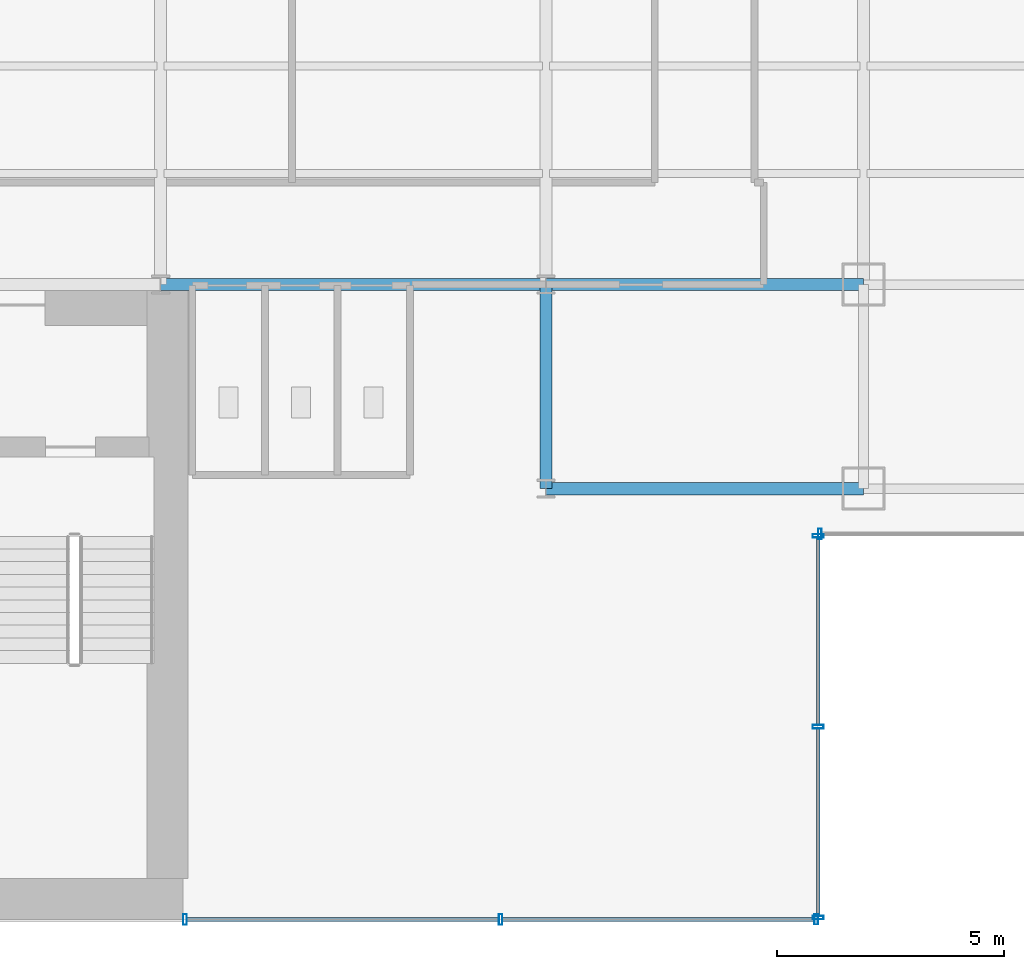
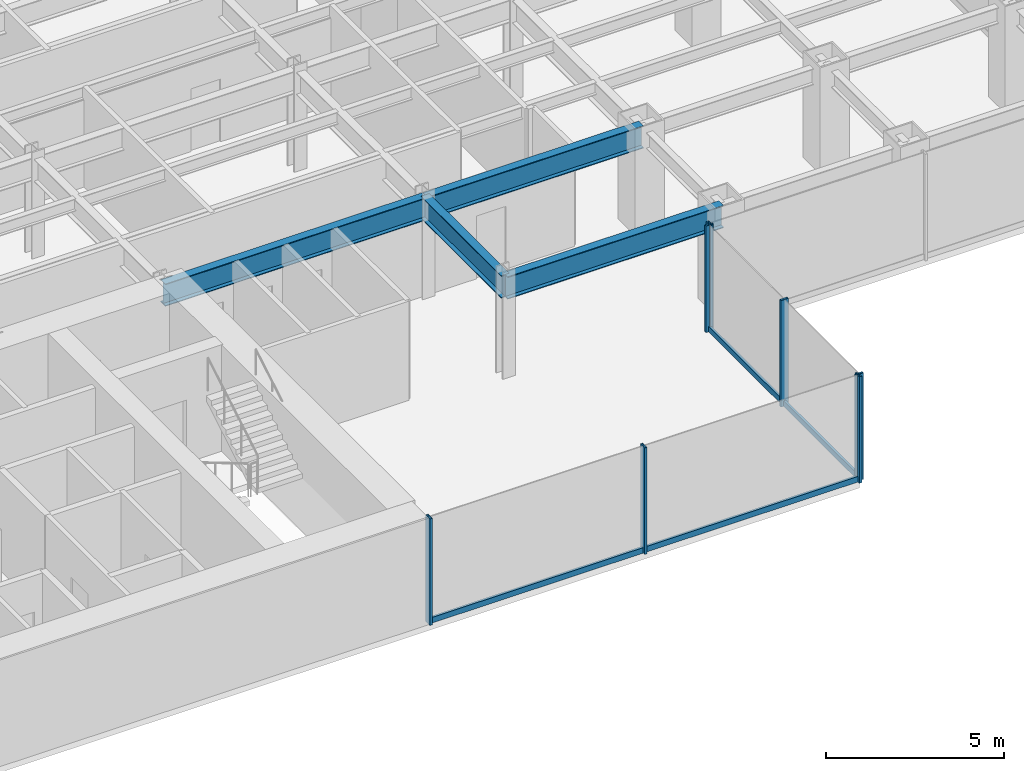
# One storey, part 6 of 23: 11 members, 4 beams, 3 elements without a shape of their own.
"""IFC4 building model written with IfcOpenShell, lengths in metres."""

from ifc_helpers import new_model, si_unit, derived_unit, direction, frame, origin, origin_2d, place, context, subcontext, project, spatial, hollow_rectangle, i_section, extrude, source, transform, mapped, material, material_profile, profile_set, type_object, element, aggregate, save


model = new_model("IFC4")

# Units and contexts
model_context = context("Model", 3, precision=1e-05, world=origin(), true_north=direction((0.0, 1.0)))
body_context = subcontext(model_context, "Body", "Model", "MODEL_VIEW")
ifc_project = project(units=[si_unit("LENGTHUNIT", "METRE"), si_unit("AREAUNIT", "SQUARE_METRE"), si_unit("VOLUMEUNIT", "CUBIC_METRE"), si_unit("PLANEANGLEUNIT", "RADIAN"), si_unit("MASSUNIT", "GRAM", prefix="KILO"), derived_unit("THERMALTRANSMITTANCEUNIT", [(si_unit("POWERUNIT", "WATT"), 1), (si_unit("LENGTHUNIT", "METRE"), -2), (si_unit("THERMODYNAMICTEMPERATUREUNIT", "KELVIN"), -1)])], contexts=[model_context])

# Site, building, storey
site_placement = place(None, origin())
site = spatial("IfcSite", under=ifc_project, at=site_placement, CompositionType="ELEMENT")
building_placement = place(site_placement, origin())
building = spatial("IfcBuilding", under=site, at=building_placement, Name="Skarnbrae Concourse Arena and Tower", CompositionType="ELEMENT")
storey_placement = place(building_placement, frame((0.0, 0.0, 50.75)))
storey = spatial("IfcBuildingStorey", under=building, at=storey_placement, Name="L11", CompositionType="ELEMENT", Elevation=50.75)

# Beams
ifc_material_1 = material(Name="Steel CSA G40.21 350W", Category="steel")
ifc_material_profile_1 = material_profile(ifc_material_1, i_section(OverallWidth=0.26806640625, OverallDepth=0.77001953125, WebThickness=0.015625, FlangeThickness=0.025390625, at=origin_2d()), Name="W760X196")
ifc_profile_set_1 = profile_set([ifc_material_profile_1], Name="Steel CSA G40.21 350W")
beam_type = type_object("IfcBeamType", Name="BM-GIRD-W760X196", PredefinedType="BEAM", material=ifc_profile_set_1)
shared_shape_1 = source(origin(), body_context, "Body", "SweptSolid", [
    extrude(i_section(OverallWidth=0.26806640625, OverallDepth=0.77001953125, WebThickness=0.015625, FlangeThickness=0.025390625, at=origin_2d()), origin(), (0.0, 0.0, 1.0), 7.0),
])
for number, where, z_axis, x_axis, name in (
    (1, (42.0, 9.5, 3.014892578125), (1.0, 0.0, 0.0), (0.0, 1.0, 0.0), "L11 Primary E-W girder Y9.5-2"),
    (2, (42.0, 14.0, 3.014892578125), (1.0, 0.0, 0.0), (0.0, 1.0, 0.0), "L11 Primary E-W girder Y14.0-7"),
):
    element("IfcBeam", number, at=place(storey_placement, frame(where, z_axis=z_axis, x_axis=x_axis)), inside=storey, type_object=beam_type, Name=name, PredefinedType="BEAM", context=body_context, shape_type="MappedRepresentation", body=[
        mapped(shared_shape_1, transform((0.0, 0.0, 0.0))),
    ])
shared_shape_2 = source(origin(), body_context, "Body", "SweptSolid", [
    extrude(i_section(OverallWidth=0.26806640625, OverallDepth=0.77001953125, WebThickness=0.015625, FlangeThickness=0.025390625, at=origin_2d()), origin(), (0.0, 0.0, 1.0), 8.5),
])
beam_1_placement = place(storey_placement, frame((33.5, 14.0, 3.014892578125), z_axis=(1.0, 0.0, 0.0), x_axis=(0.0, 1.0, 0.0)))
element("IfcBeam", 3, at=beam_1_placement, inside=storey, type_object=beam_type, Name="L11 Primary E-W girder Y14.0-6", PredefinedType="BEAM", context=body_context, shape_type="MappedRepresentation", body=[
    mapped(shared_shape_2, transform((0.0, 0.0, 0.0))),
])
shared_shape_3 = source(origin(), body_context, "Body", "SweptSolid", [
    extrude(i_section(OverallWidth=0.26806640625, OverallDepth=0.77001953125, WebThickness=0.015625, FlangeThickness=0.025390625, at=origin_2d()), origin(), (0.0, 0.0, 1.0), 4.5),
])
beam_2_placement = place(storey_placement, frame((42.0, 9.5, 3.014892578125), z_axis=(0.0, 1.0, 0.0), x_axis=(-1.0, 0.0, 0.0)))
element("IfcBeam", 4, at=beam_2_placement, inside=storey, type_object=beam_type, Name="L11 Primary N-S girder X42.0-1", PredefinedType="BEAM", context=body_context, shape_type="MappedRepresentation", body=[
    mapped(shared_shape_3, transform((0.0, 0.0, 0.0))),
])

# Curtain wall, members
ifc_material_2 = material(Name="Bronze anodised aluminium 6063-T6", Category="aluminium")
curtain_wall_type = type_object("IfcCurtainWallType", Name="CW-SYS-02-LOWZONE", PredefinedType="USERDEFINED", material=ifc_material_2)
curtain_wall_1_placement = place(storey_placement, origin())
curtain_wall_1 = element("IfcCurtainWall", 5, at=curtain_wall_1_placement, inside=storey, type_object=curtain_wall_type, Name="L11 Unitised curtain wall CW-L11-SE-SPINE", ObjectType="UNITISED CURTAIN WALL", PredefinedType="USERDEFINED")
ifc_material_profile_2 = material_profile(ifc_material_2, hollow_rectangle(XDim=0.080078125, YDim=0.239990234375, WallThickness=0.0048828125, at=origin_2d()), Name="ALU-MULL-80X240")
ifc_profile_set_2 = profile_set([ifc_material_profile_2], Name="Bronze anodised aluminium 6063-T6")
member_type_1 = type_object("IfcMemberType", Name="CWM-CW-02", PredefinedType="MULLION", material=ifc_profile_set_2)
shared_shape_4 = source(origin(), body_context, "Body", "SweptSolid", [
    extrude(hollow_rectangle(XDim=0.080078125, YDim=0.239990234375, WallThickness=0.0048828125, at=origin_2d()), origin(), (0.0, 0.0, 1.0), 3.64990234375),
])
member_1_placement = place(storey_placement, frame((34.0400390625, 0.0, 0.0), z_axis=(0.0, 0.0, 1.0), x_axis=(1.0, 0.0, 0.0)))
member_1 = element("IfcMember", 6, at=member_1_placement, type_object=member_type_1, Name="CW-L11-SE-SPINE Mullion 1", PredefinedType="MULLION", context=body_context, shape_type="MappedRepresentation", body=[
    mapped(shared_shape_4, transform((0.0, 0.0, 0.0))),
])
member_2_placement = place(storey_placement, frame((41.0, 0.0, 0.0), z_axis=(0.0, 0.0, 1.0), x_axis=(1.0, 0.0, 0.0)))
member_2 = element("IfcMember", 7, at=member_2_placement, type_object=member_type_1, Name="CW-L11-SE-SPINE Mullion 2", PredefinedType="MULLION", context=body_context, shape_type="MappedRepresentation", body=[
    mapped(shared_shape_4, transform((0.0, 0.0, 0.0))),
])
member_3_placement = place(storey_placement, frame((47.9599609375, 0.0, 0.0), z_axis=(0.0, 0.0, 1.0), x_axis=(1.0, 0.0, 0.0)))
member_3 = element("IfcMember", 8, at=member_3_placement, type_object=member_type_1, Name="CW-L11-SE-SPINE Mullion 3", PredefinedType="MULLION", context=body_context, shape_type="MappedRepresentation", body=[
    mapped(shared_shape_4, transform((0.0, 0.0, 0.0))),
])

curtain_wall_2_placement = place(storey_placement, origin())
curtain_wall_2 = element("IfcCurtainWall", 9, at=curtain_wall_2_placement, inside=storey, type_object=curtain_wall_type, Name="L11 Unitised curtain wall CW-L11-E02", ObjectType="UNITISED CURTAIN WALL", PredefinedType="USERDEFINED")
member_4_placement = place(storey_placement, frame((48.0, 0.0400390625, 0.0), z_axis=(0.0, 0.0, 1.0), x_axis=(0.0, 1.0, 0.0)))
member_4 = element("IfcMember", 10, at=member_4_placement, type_object=member_type_1, Name="CW-L11-E02 Mullion 1", PredefinedType="MULLION", context=body_context, shape_type="MappedRepresentation", body=[
    mapped(shared_shape_4, transform((0.0, 0.0, 0.0))),
])
member_5_placement = place(storey_placement, frame((48.0, 4.25, 0.0), z_axis=(0.0, 0.0, 1.0), x_axis=(0.0, 1.0, 0.0)))
member_5 = element("IfcMember", 11, at=member_5_placement, type_object=member_type_1, Name="CW-L11-E02 Mullion 2", PredefinedType="MULLION", context=body_context, shape_type="MappedRepresentation", body=[
    mapped(shared_shape_4, transform((0.0, 0.0, 0.0))),
])
member_6_placement = place(storey_placement, frame((48.0, 8.4599609375, 0.0), z_axis=(0.0, 0.0, 1.0), x_axis=(0.0, 1.0, 0.0)))
member_6 = element("IfcMember", 12, at=member_6_placement, type_object=member_type_1, Name="CW-L11-E02 Mullion 3", PredefinedType="MULLION", context=body_context, shape_type="MappedRepresentation", body=[
    mapped(shared_shape_4, transform((0.0, 0.0, 0.0))),
])

# Curtain wall, member
curtain_wall_3_placement = place(storey_placement, origin())
curtain_wall_3 = element("IfcCurtainWall", 13, at=curtain_wall_3_placement, inside=storey, type_object=curtain_wall_type, Name="L11 Unitised curtain wall CW-L11-E03", ObjectType="UNITISED CURTAIN WALL", PredefinedType="USERDEFINED")
member_7_placement = place(storey_placement, frame((48.0400390625, 8.5, 0.0), z_axis=(0.0, 0.0, 1.0), x_axis=(1.0, 0.0, 0.0)))
member_7 = element("IfcMember", 14, at=member_7_placement, type_object=member_type_1, Name="CW-L11-E03 Mullion 1", PredefinedType="MULLION", context=body_context, shape_type="MappedRepresentation", body=[
    mapped(shared_shape_4, transform((0.0, 0.0, 0.0))),
])
aggregate(curtain_wall_3, [member_7])

# Member
ifc_material_profile_3 = material_profile(ifc_material_2, hollow_rectangle(XDim=0.080078125, YDim=0.18994140625, WallThickness=0.0048828125, at=origin_2d()), Name="ALU-TRAN-80X190")
ifc_profile_set_3 = profile_set([ifc_material_profile_3], Name="Bronze anodised aluminium 6063-T6")
member_type_2 = type_object("IfcMemberType", Name="CWT-CW-02", PredefinedType="USERDEFINED", material=ifc_profile_set_3)
shared_shape_5 = source(origin(), body_context, "Body", "SweptSolid", [
    extrude(hollow_rectangle(XDim=0.080078125, YDim=0.18994140625, WallThickness=0.0048828125, at=origin_2d()), origin(), (0.0, 0.0, 1.0), 6.8798828125),
])
member_8_placement = place(storey_placement, frame((34.080078125, 0.0, 0.094970703125), z_axis=(1.0, 0.0, 0.0), x_axis=(0.0, 1.0, 0.0)))
member_8 = element("IfcMember", 15, at=member_8_placement, type_object=member_type_2, Name="CW-L11-SE-SPINE Transom 1", ObjectType="TRANSOM", PredefinedType="USERDEFINED", context=body_context, shape_type="MappedRepresentation", body=[
    mapped(shared_shape_5, transform((0.0, 0.0, 0.0))),
])

member_9_placement = place(storey_placement, frame((41.0400390625, 0.0, 0.094970703125), z_axis=(1.0, 0.0, 0.0), x_axis=(0.0, 1.0, 0.0)))
member_9 = element("IfcMember", 16, at=member_9_placement, type_object=member_type_2, Name="CW-L11-SE-SPINE Transom 2", ObjectType="TRANSOM", PredefinedType="USERDEFINED", context=body_context, shape_type="MappedRepresentation", body=[
    mapped(shared_shape_5, transform((0.0, 0.0, 0.0))),
])

aggregate(curtain_wall_1, [member_1, member_2, member_3, member_8, member_9])

shared_shape_6 = source(origin(), body_context, "Body", "SweptSolid", [
    extrude(hollow_rectangle(XDim=0.080078125, YDim=0.18994140625, WallThickness=0.0048828125, at=origin_2d()), origin(), (0.0, 0.0, 1.0), 4.1298828125),
])
member_10_placement = place(storey_placement, frame((48.0, 0.080078125, 0.094970703125), z_axis=(0.0, 1.0, 0.0), x_axis=(-1.0, 0.0, 0.0)))
member_10 = element("IfcMember", 17, at=member_10_placement, type_object=member_type_2, Name="CW-L11-E02 Transom 1", ObjectType="TRANSOM", PredefinedType="USERDEFINED", context=body_context, shape_type="MappedRepresentation", body=[
    mapped(shared_shape_6, transform((0.0, 0.0, 0.0))),
])

member_11_placement = place(storey_placement, frame((48.0, 4.2900390625, 0.094970703125), z_axis=(0.0, 1.0, 0.0), x_axis=(-1.0, 0.0, 0.0)))
member_11 = element("IfcMember", 18, at=member_11_placement, type_object=member_type_2, Name="CW-L11-E02 Transom 2", ObjectType="TRANSOM", PredefinedType="USERDEFINED", context=body_context, shape_type="MappedRepresentation", body=[
    mapped(shared_shape_6, transform((0.0, 0.0, 0.0))),
])

aggregate(curtain_wall_2, [member_4, member_5, member_6, member_10, member_11])

save(model, "model.ifc")
